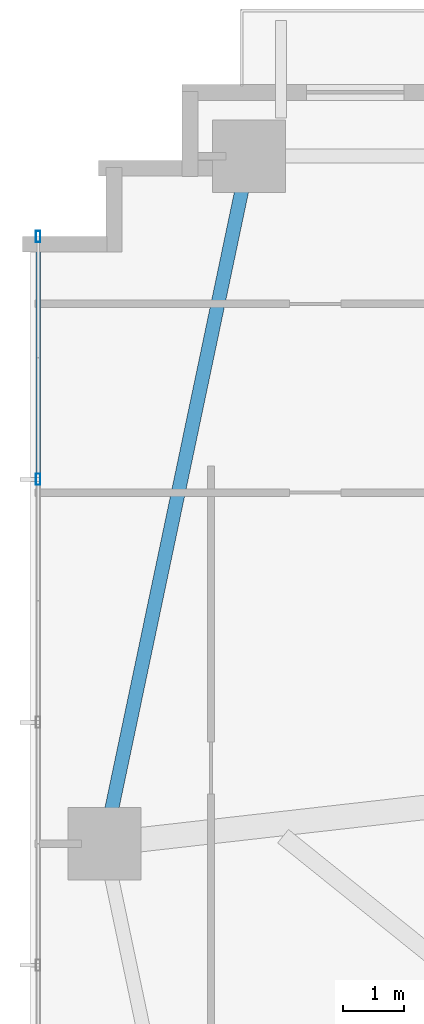
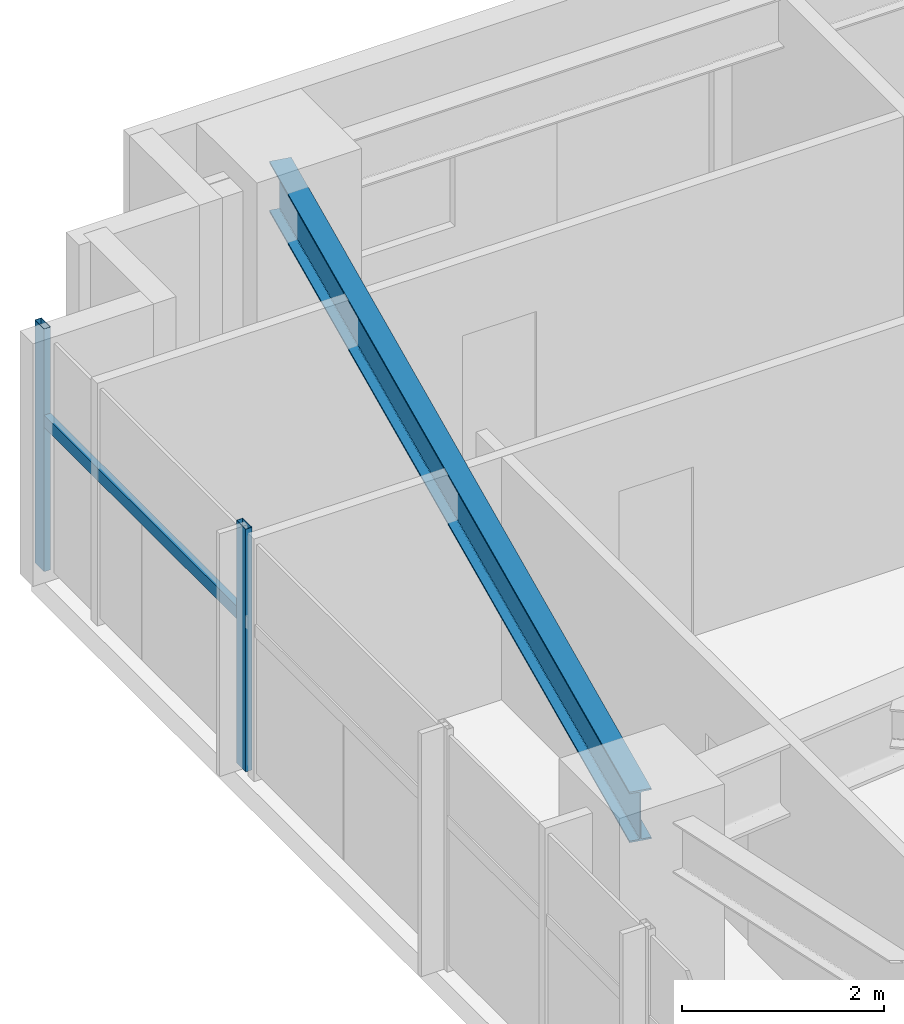
# One storey, part 8 of 25: 3 members, 1 beam, 1 element without a shape of its own.
"""IFC4 building model written with IfcOpenShell, lengths in metres."""

from ifc_helpers import new_model, si_unit, direction, frame, origin, origin_2d, place, context, subcontext, project, spatial, hollow_rectangle, i_section, extrude, source, transform, mapped, material, material_profile, profile_set, type_object, type_shapes, element, aggregate, save


model = new_model("IFC4")

# Units and contexts
model_context = context("Model", 3, precision=1e-05, world=origin(), true_north=direction((0.0, 1.0)))
body_context = subcontext(model_context, "Body", "Model", "MODEL_VIEW")
ifc_project = project(units=[si_unit("LENGTHUNIT", "METRE"), si_unit("AREAUNIT", "SQUARE_METRE"), si_unit("VOLUMEUNIT", "CUBIC_METRE"), si_unit("PLANEANGLEUNIT", "RADIAN"), si_unit("MASSUNIT", "GRAM", prefix="KILO")], contexts=[model_context])

# Site, building, storey
site_placement = place(None, origin())
site = spatial("IfcSite", under=ifc_project, at=site_placement, CompositionType="ELEMENT")
building_placement = place(site_placement, origin())
building = spatial("IfcBuilding", under=site, at=building_placement, Name="Astriad Promenade Condominiums", CompositionType="ELEMENT")
storey_placement = place(building_placement, frame((0.0, 0.0, 26.199951171875)))
storey = spatial("IfcBuildingStorey", under=building, at=storey_placement, Name="L06", CompositionType="ELEMENT", Elevation=26.199951171875)

# Beam
ifc_material_1 = material(Name="Steel ASTM A992 Grade 50", Category="steel")
ifc_material_profile_1 = material_profile(ifc_material_1, i_section(OverallWidth=0.22900390625, OverallDepth=0.612060546875, WebThickness=0.011962890625, FlangeThickness=0.01953125, FilletRadius=0.017822265625, at=origin_2d()), Name="W24X84")
ifc_profile_set_1 = profile_set([ifc_material_profile_1], Name="Steel ASTM A992 Grade 50")
beam_type = type_object("IfcBeamType", Name="STEEL SPANDREL BEAM W24X84", PredefinedType="SPANDREL", material=ifc_profile_set_1)
shared_shape_1 = source(origin(), body_context, "Body", "SweptSolid", [
    extrude(i_section(OverallWidth=0.22900390625, OverallDepth=0.612060546875, WebThickness=0.011962890625, FlangeThickness=0.01953125, FilletRadius=0.017822265625, at=origin_2d()), origin(), (0.0, 0.0, 1.0), 11.48779296875),
])
type_shapes(beam_type, [shared_shape_1])
beam_placement = place(storey_placement, frame((9.391845703125, 26.48095703125, 2.634033203125), z_axis=(-0.205743776427, -0.978605895374, 0.0), x_axis=(0.978605895374, -0.205743776427, 0.0)))
element("IfcBeam", 1, at=beam_placement, inside=storey, type_object=beam_type, Name="Perimeter Spandrel Beam SP-W2-L06", PredefinedType="SPANDREL", context=body_context, shape_type="MappedRepresentation", body=[
    mapped(shared_shape_1, transform((0.0, 0.0, 0.0), scale=1.0)),
])

# Curtain wall, members
ifc_material_2 = material(Name="Anodised aluminium Black Dark Glass Unitised", Category="aluminium")
curtain_wall_type = type_object("IfcCurtainWallType", Name="CW-B1-DARK", PredefinedType="USERDEFINED", material=ifc_material_2)
curtain_wall_placement = place(storey_placement, origin())
curtain_wall = element("IfcCurtainWall", 2, at=curtain_wall_placement, inside=storey, type_object=curtain_wall_type, Name="CW-L06-W", ObjectType="UNITISED_CURTAIN_WALL", PredefinedType="USERDEFINED")
ifc_material_3 = material(Name="Anodised aluminium 6063-T6 Black", Category="aluminium")
ifc_material_profile_2 = material_profile(ifc_material_3, hollow_rectangle(XDim=0.074951171875, YDim=0.18505859375, WallThickness=0.00439453125, at=origin_2d()), Name="ALU-MUL-75X185")
ifc_profile_set_2 = profile_set([ifc_material_profile_2], Name="Anodised aluminium 6063-T6 Black")
member_type_1 = type_object("IfcMemberType", Name="MUL-ALU-MUL-75X185", PredefinedType="MULLION", material=ifc_profile_set_2)
shared_shape_2 = source(origin(), body_context, "Body", "SweptSolid", [
    extrude(hollow_rectangle(XDim=0.074951171875, YDim=0.18505859375, WallThickness=0.00439453125, at=origin_2d()), origin(), (0.0, 0.0, 1.0), 2.93994140625),
])
type_shapes(member_type_1, [shared_shape_2])
member_1_placement = place(storey_placement, frame((5.929931640625, 21.199951171875, 0.0), z_axis=(0.0, 0.0, 1.0), x_axis=(1.0, 0.0, 0.0)))
member_1 = element("IfcMember", 3, at=member_1_placement, type_object=member_type_1, Name="CW-L06-W-MUL-04", PredefinedType="MULLION", context=body_context, shape_type="MappedRepresentation", body=[
    mapped(shared_shape_2, transform((0.0, 0.0, 0.0), scale=1.0)),
])
member_2_placement = place(storey_placement, frame((5.929931640625, 25.199951171875, 0.0), z_axis=(0.0, 0.0, 1.0), x_axis=(1.0, 0.0, 0.0)))
member_2 = element("IfcMember", 4, at=member_2_placement, type_object=member_type_1, Name="CW-L06-W-MUL-05", PredefinedType="MULLION", context=body_context, shape_type="MappedRepresentation", body=[
    mapped(shared_shape_2, transform((0.0, 0.0, 0.0), scale=1.0)),
])
ifc_material_profile_3 = material_profile(ifc_material_3, hollow_rectangle(XDim=0.074951171875, YDim=0.14990234375, WallThickness=0.004150390625, at=origin_2d()), Name="ALU-TRN-75X150")
ifc_profile_set_3 = profile_set([ifc_material_profile_3], Name="Anodised aluminium 6063-T6 Black")
member_type_2 = type_object("IfcMemberType", Name="TRN-ALU-TRN-75X150", PredefinedType="USERDEFINED", material=ifc_profile_set_3)
shared_shape_3 = source(origin(), body_context, "Body", "SweptSolid", [
    extrude(hollow_rectangle(XDim=0.074951171875, YDim=0.14990234375, WallThickness=0.004150390625, at=origin_2d()), origin(), (0.0, 0.0, 1.0), 4.0),
])
type_shapes(member_type_2, [shared_shape_3])
member_3_placement = place(storey_placement, frame((5.929931640625, 21.199951171875, 1.82275390625), z_axis=(0.0, 1.0, 0.0), x_axis=(-1.0, 0.0, 0.0)))
member_3 = element("IfcMember", 5, at=member_3_placement, type_object=member_type_2, Name="CW-L06-W-TRN-04-0", ObjectType="TRANSOM", PredefinedType="USERDEFINED", context=body_context, shape_type="MappedRepresentation", body=[
    mapped(shared_shape_3, transform((0.0, 0.0, 0.0), scale=1.0)),
])
aggregate(curtain_wall, [member_1, member_2, member_3])

save(model, "model.ifc")
